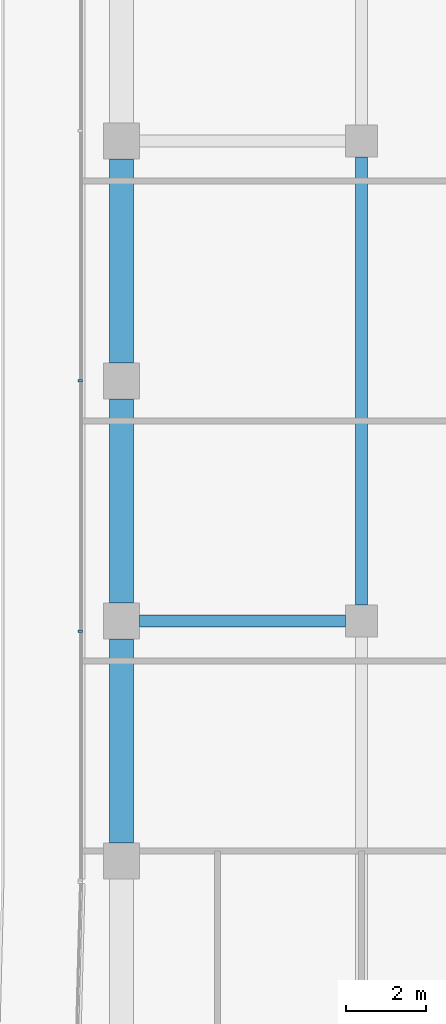
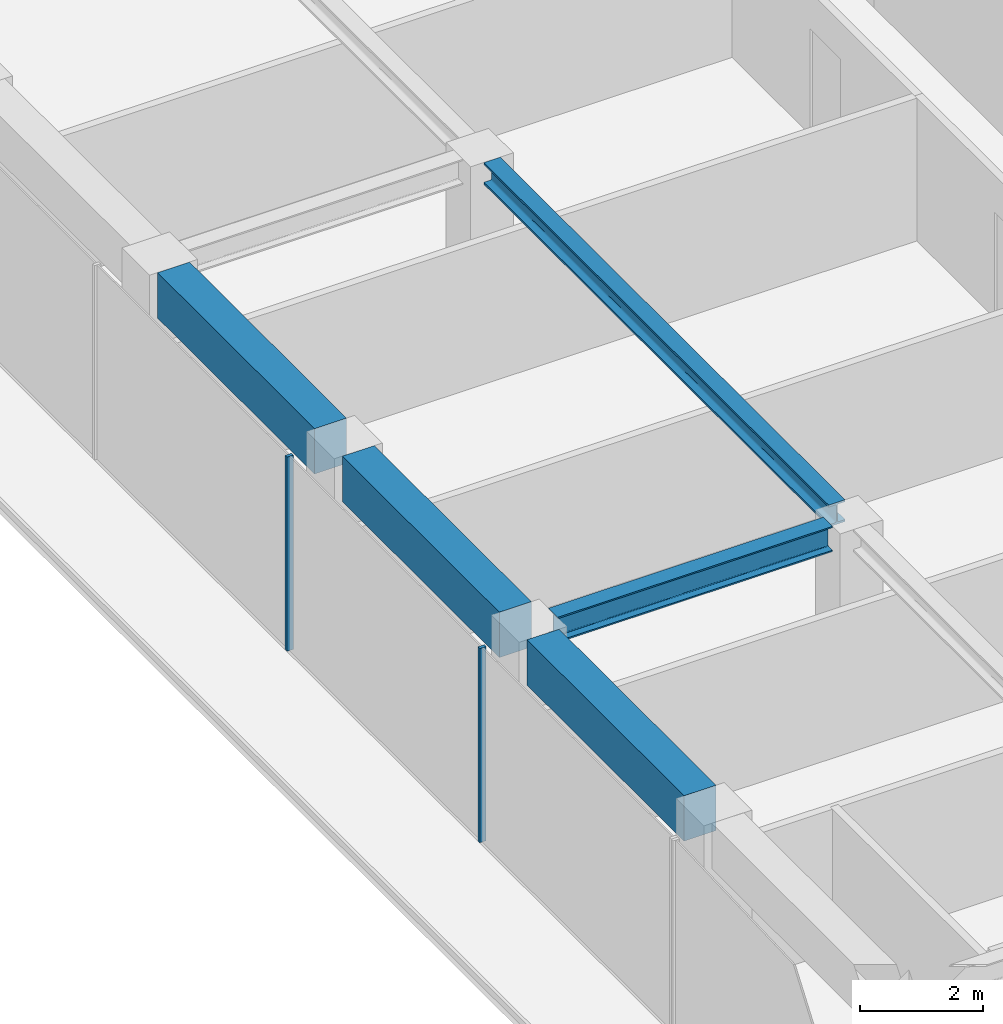
# One storey, part 9 of 23: 5 beams, 2 members, 1 element without a shape of its own.
"""IFC4 building model written with IfcOpenShell, lengths in metres."""

from ifc_helpers import new_model, si_unit, direction, frame, origin, origin_2d, place, context, subcontext, project, spatial, rectangle, i_section, extrude, material, layer, layer_set, material_profile, profile_set, type_object, element, aggregate, save


model = new_model("IFC4")

# Units and contexts
model_context = context("Model", 3, precision=1e-05, world=origin(), true_north=direction((0.0, 1.0)))
body_context = subcontext(model_context, "Body", "Model", "MODEL_VIEW")
ifc_project = project(units=[si_unit("LENGTHUNIT", "METRE"), si_unit("AREAUNIT", "SQUARE_METRE"), si_unit("VOLUMEUNIT", "CUBIC_METRE"), si_unit("PLANEANGLEUNIT", "RADIAN"), si_unit("MASSUNIT", "GRAM", prefix="KILO")], contexts=[model_context])

# Site, building, storey
site_placement = place(None, origin())
site = spatial("IfcSite", under=ifc_project, at=site_placement, CompositionType="ELEMENT")
building_placement = place(site_placement, origin())
building = spatial("IfcBuilding", under=site, at=building_placement, Name="Welwitschia Terrace Campus", CompositionType="ELEMENT")
storey_placement = place(building_placement, frame((0.0, 0.0, 117.199951171875)))
storey = spatial("IfcBuildingStorey", under=building, at=storey_placement, Name="L26", CompositionType="ELEMENT", Elevation=117.199951171875)

# Beam
ifc_material_1 = material(Name="Steel S355", Category="steel")
ifc_material_profile_1 = material_profile(ifc_material_1, i_section(OverallWidth=0.306884765625, OverallDepth=0.431884765625, WebThickness=0.02099609375, FlangeThickness=0.0400390625, FilletRadius=0.027099609375, at=origin_2d()))
ifc_profile_set_1 = profile_set([ifc_material_profile_1], Name="Steel S355")
beam_type_1 = type_object("IfcBeamType", Name="Interior girder HE 400 M", PredefinedType="BEAM", material=ifc_profile_set_1)
beam_1_placement = place(storey_placement, frame((6.0, 40.400390625, 3.634033203125), z_axis=(0.0, 1.0, 0.0), x_axis=(-1.0, 0.0, 0.0)))
element("IfcBeam", 1, at=beam_1_placement, inside=storey, type_object=beam_type_1, Name="Girder GB3", PredefinedType="BEAM", context=body_context, shape_type="SweptSolid", body=[
    extrude(i_section(OverallWidth=0.306884765625, OverallDepth=0.431884765625, WebThickness=0.02099609375, FlangeThickness=0.0400390625, FilletRadius=0.027099609375, at=origin_2d()), origin(), (0.0, 0.0, 1.0), 11.19921875),
])

# Curtain wall, members
ifc_material_2 = material(Name="Bronze anodised aluminium", Category="aluminium")
ifc_layer = layer(ifc_material_2, 0.1201171875)
ifc_layer_set = layer_set([ifc_layer], Name="Bronze anodised aluminium")
curtain_wall_type = type_object("IfcCurtainWallType", Name="Curtain wall CW2 tower 6000", PredefinedType="NOTDEFINED", material=ifc_layer_set)
curtain_wall_placement = place(storey_placement, origin())
curtain_wall = element("IfcCurtainWall", 2, at=curtain_wall_placement, inside=storey, type_object=curtain_wall_type, Name="CW L26.12.0", PredefinedType="NOTDEFINED")
ifc_material_3 = material(Name="Bronze anodised aluminium", Category="aluminium")
ifc_material_profile_2 = material_profile(ifc_material_3, rectangle(XDim=0.1201171875, YDim=0.06005859375, at=origin_2d()))
ifc_profile_set_2 = profile_set([ifc_material_profile_2], Name="Bronze anodised aluminium")
member_type = type_object("IfcMemberType", Name="Mullion 60x120", PredefinedType="MULLION", material=ifc_profile_set_2)
member_1_placement = place(storey_placement, frame((-1.030029296875, 46.003662109375, 0.0), z_axis=(0.0, 0.0, 1.0), x_axis=(1.0, 0.0, 0.0)))
member_1 = element("IfcMember", 3, at=member_1_placement, type_object=member_type, Name="Mullion L26.12.0.4", PredefinedType="MULLION", context=body_context, shape_type="SweptSolid", body=[
    extrude(rectangle(XDim=0.1201171875, YDim=0.06005859375, at=origin_2d()), origin(), (0.0, 0.0, 1.0), 3.85009765625),
])
member_2_placement = place(storey_placement, frame((-1.030029296875, 39.7470703125, 0.0), z_axis=(0.0, 0.0, 1.0), x_axis=(1.0, 0.0, 0.0)))
member_2 = element("IfcMember", 4, at=member_2_placement, type_object=member_type, Name="Mullion L26.12.0.5", PredefinedType="MULLION", context=body_context, shape_type="SweptSolid", body=[
    extrude(rectangle(XDim=0.1201171875, YDim=0.06005859375, at=origin_2d()), origin(), (0.0, 0.0, 1.0), 3.85009765625),
])
aggregate(curtain_wall, [member_1, member_2])

# Beams
ifc_material_4 = material(Name="Steel S355", Category="steel")
ifc_material_profile_3 = material_profile(ifc_material_4, i_section(OverallWidth=0.300048828125, OverallDepth=0.5, WebThickness=0.014404296875, FlangeThickness=0.028076171875, FilletRadius=0.027099609375, at=origin_2d()))
ifc_profile_set_3 = profile_set([ifc_material_profile_3], Name="Steel S355")
beam_type_2 = type_object("IfcBeamType", Name="Primary beam HE 500 B", PredefinedType="BEAM", material=ifc_profile_set_3)
beam_2_placement = place(storey_placement, frame((0.450439453125, 40.0, 3.60009765625), z_axis=(1.0, 0.0, 0.0), x_axis=(0.0, 1.0, 0.0)))
element("IfcBeam", 5, at=beam_2_placement, inside=storey, type_object=beam_type_2, Name="Primary beam PB3", PredefinedType="BEAM", context=body_context, shape_type="SweptSolid", body=[
    extrude(i_section(OverallWidth=0.300048828125, OverallDepth=0.5, WebThickness=0.014404296875, FlangeThickness=0.028076171875, FilletRadius=0.027099609375, at=origin_2d()), origin(), (0.0, 0.0, 1.0), 5.149169921875),
])
ifc_material_5 = material(Name="Concrete C60/75", Category="concrete")
ifc_material_profile_4 = material_profile(ifc_material_5, rectangle(XDim=0.60009765625, YDim=0.89990234375, at=origin_2d()))
ifc_profile_set_4 = profile_set([ifc_material_profile_4], Name="Concrete C60/75")
beam_type_3 = type_object("IfcBeamType", Name="Ring spandrel 600x900", PredefinedType="SPANDREL", material=ifc_profile_set_4)
for number, where, z_axis, x_axis, name in (
    (6, (0.0, 51.549560546875, 3.400146484375), (0.0, -1.0, 0.0), (1.0, 0.0, 0.0), "Spandrel SP2"),
    (7, (0.0, 45.549560546875, 3.400146484375), (0.0, -1.0, 0.0), (1.0, 0.0, 0.0), "Spandrel SP2"),
    (8, (0.0, 39.549560546875, 3.400146484375), (0.0, -1.0, 0.0), (1.0, 0.0, 0.0), "Spandrel SP2"),
):
    element("IfcBeam", number, at=place(storey_placement, frame(where, z_axis=z_axis, x_axis=x_axis)), inside=storey, type_object=beam_type_3, Name=name, PredefinedType="SPANDREL", context=body_context, shape_type="SweptSolid", body=[
        extrude(rectangle(XDim=0.60009765625, YDim=0.89990234375, at=origin_2d()), origin(), (0.0, 0.0, 1.0), 5.09912109375),
    ])

save(model, "model.ifc")
